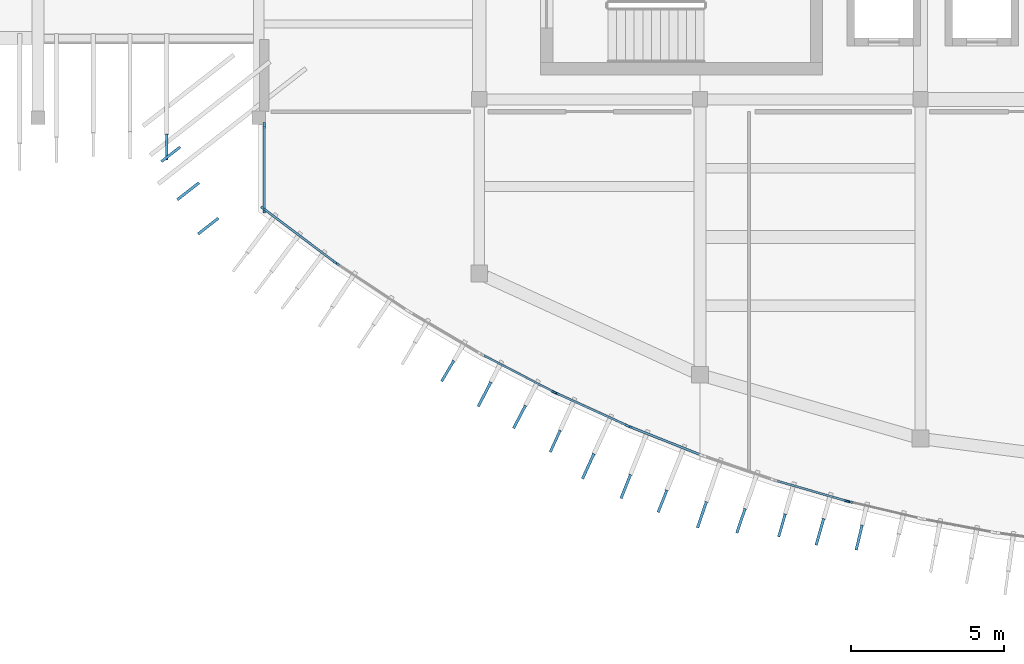
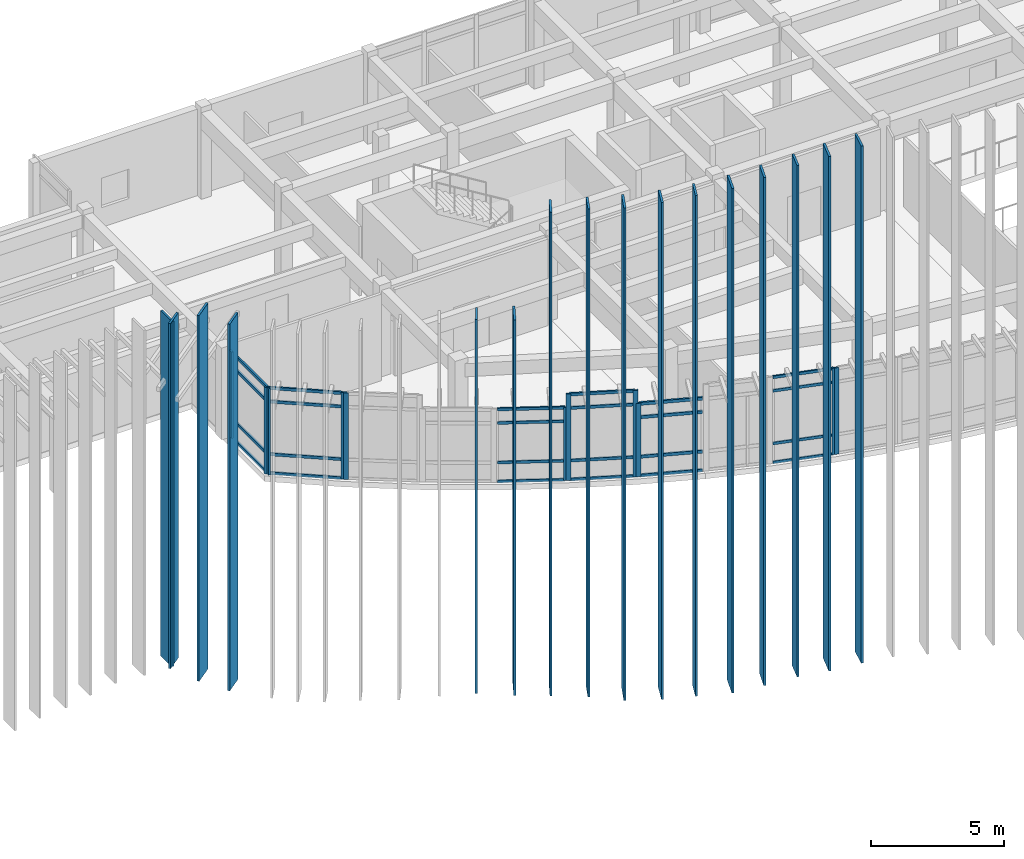
# One storey, part 13 of 47: 51 members, 8 elements without a shape of their own.
"""IFC4 building model written with IfcOpenShell, lengths in metres."""

from ifc_helpers import new_model, si_unit, direction, frame, origin, origin_2d, place, context, subcontext, project, spatial, rectangle, extrude, material, layer, layer_set, material_profile, profile_set, type_object, element, aggregate, save


model = new_model("IFC4")

# Units and contexts
model_context = context("Model", 3, precision=1e-05, world=origin(), true_north=direction((0.0, 1.0)))
body_context = subcontext(model_context, "Body", "Model", "MODEL_VIEW")
ifc_project = project(units=[si_unit("LENGTHUNIT", "METRE"), si_unit("AREAUNIT", "SQUARE_METRE"), si_unit("VOLUMEUNIT", "CUBIC_METRE"), si_unit("PLANEANGLEUNIT", "RADIAN"), si_unit("MASSUNIT", "GRAM", prefix="KILO")], contexts=[model_context])

# Site, building, storey
site_placement = place(None, origin())
site = spatial("IfcSite", under=ifc_project, at=site_placement, CompositionType="ELEMENT")
building_placement = place(site_placement, origin())
building = spatial("IfcBuilding", under=site, at=building_placement, Name="Brisavento Harbour Community Centre", CompositionType="ELEMENT")
storey_placement = place(building_placement, frame((0.0, 0.0, 8.699951171875)))
storey = spatial("IfcBuildingStorey", under=building, at=storey_placement, Name="L02", CompositionType="ELEMENT", Elevation=8.699951171875)

# Curtain wall, member
ifc_material_1 = material(Name="Marine-anodised aluminium AW-6063-T6", Category="aluminium")
ifc_layer_1 = layer(ifc_material_1, 0.179931640625, Name="Marine-anodised aluminium AW-6063-T6")
ifc_layer_set_1 = layer_set([ifc_layer_1], Name="Marine-anodised aluminium AW-6063-T6")
curtain_wall_type_1 = type_object("IfcCurtainWallType", Name="CW-SYS-09", PredefinedType="USERDEFINED", material=ifc_layer_set_1)
curtain_wall_1_placement = place(storey_placement, origin())
curtain_wall_1 = element("IfcCurtainWall", 1, at=curtain_wall_1_placement, inside=storey, type_object=curtain_wall_type_1, Name="L02 V3 unitised curtain wall 121", ObjectType="UNITISED CURTAIN WALL", PredefinedType="USERDEFINED")
ifc_material_profile_1 = material_profile(ifc_material_1, rectangle(XDim=0.06494140625, YDim=0.1650390625, at=origin_2d()), Name="Marine-anodised aluminium AW-6063-T6")
ifc_profile_set_1 = profile_set([ifc_material_profile_1], Name="Marine-anodised aluminium AW-6063-T6")
member_type_1 = type_object("IfcMemberType", Name="CWM-01", PredefinedType="MULLION", material=ifc_profile_set_1)
member_1_placement = place(storey_placement, frame((117.63818359375, 5.447998046875, 0.0), z_axis=(0.0, 0.0, 1.0), x_axis=(-0.461718322689, -0.887026600781, 0.0)))
member_1 = element("IfcMember", 2, at=member_1_placement, type_object=member_type_1, Name="CW-09 mullion 1", PredefinedType="MULLION", context=body_context, shape_type="SweptSolid", body=[
    extrude(rectangle(XDim=0.06494140625, YDim=0.1650390625, at=origin_2d()), origin(), (0.0, 0.0, 1.0), 3.360107421875),
])

ifc_layer_2 = layer(ifc_material_1, 0.179931640625, Name="Marine-anodised aluminium AW-6063-T6")
ifc_layer_set_2 = layer_set([ifc_layer_2], Name="Marine-anodised aluminium AW-6063-T6")
curtain_wall_type_2 = type_object("IfcCurtainWallType", Name="CW-SYS-13", PredefinedType="USERDEFINED", material=ifc_layer_set_2)
curtain_wall_2_placement = place(storey_placement, origin())
curtain_wall_2 = element("IfcCurtainWall", 3, at=curtain_wall_2_placement, inside=storey, type_object=curtain_wall_type_2, Name="L02 V3 unitised curtain wall 125", ObjectType="UNITISED CURTAIN WALL", PredefinedType="USERDEFINED")
member_2_placement = place(storey_placement, frame((127.201416015625, 1.89013671875, 0.0), z_axis=(0.0, 0.0, 1.0), x_axis=(-0.277000545402, -0.960869761126, 0.0)))
member_2 = element("IfcMember", 4, at=member_2_placement, type_object=member_type_1, Name="CW-13 mullion 1", PredefinedType="MULLION", context=body_context, shape_type="SweptSolid", body=[
    extrude(rectangle(XDim=0.06494140625, YDim=0.1650390625, at=origin_2d()), origin(), (0.0, 0.0, 1.0), 3.9599609375),
])

# Curtain wall, members
ifc_layer_3 = layer(ifc_material_1, 0.179931640625, Name="Marine-anodised aluminium AW-6063-T6")
ifc_layer_set_3 = layer_set([ifc_layer_3], Name="Marine-anodised aluminium AW-6063-T6")
curtain_wall_type_3 = type_object("IfcCurtainWallType", Name="CW-SYS-06", PredefinedType="USERDEFINED", material=ifc_layer_set_3)
curtain_wall_3_placement = place(storey_placement, origin())
curtain_wall_3 = element("IfcCurtainWall", 5, at=curtain_wall_3_placement, inside=storey, type_object=curtain_wall_type_3, Name="L02 V3 unitised curtain wall 118", ObjectType="UNITISED CURTAIN WALL", PredefinedType="USERDEFINED")
ifc_material_profile_2 = material_profile(ifc_material_1, rectangle(XDim=0.070068359375, YDim=0.179931640625, at=origin_2d()), Name="Marine-anodised aluminium AW-6063-T6")
ifc_profile_set_2 = profile_set([ifc_material_profile_2], Name="Marine-anodised aluminium AW-6063-T6")
member_type_2 = type_object("IfcMemberType", Name="CWM-02", PredefinedType="MULLION", material=ifc_profile_set_2)
member_3_placement = place(storey_placement, frame((110.465576171875, 9.702392578125, 0.0), z_axis=(0.0, 0.0, 1.0), x_axis=(-0.600259014917, -0.79980567328, 0.0)))
member_3 = element("IfcMember", 6, at=member_3_placement, type_object=member_type_2, Name="CW-06 mullion 1", PredefinedType="MULLION", context=body_context, shape_type="SweptSolid", body=[
    extrude(rectangle(XDim=0.070068359375, YDim=0.179931640625, at=origin_2d()), origin(), (0.0, 0.0, 1.0), 3.9599609375),
])
member_4_placement = place(storey_placement, frame((108.150390625, 11.43994140625, 0.0), z_axis=(0.0, 0.0, 1.0), x_axis=(-0.600259014917, -0.79980567328, 0.0)))
member_4 = element("IfcMember", 7, at=member_4_placement, type_object=member_type_2, Name="CW-06 mullion 2", PredefinedType="MULLION", context=body_context, shape_type="SweptSolid", body=[
    extrude(rectangle(XDim=0.070068359375, YDim=0.179931640625, at=origin_2d()), origin(), (0.0, 0.0, 1.0), 3.9599609375),
])

ifc_layer_4 = layer(ifc_material_1, 0.179931640625, Name="Marine-anodised aluminium AW-6063-T6")
ifc_layer_set_4 = layer_set([ifc_layer_4], Name="Marine-anodised aluminium AW-6063-T6")
curtain_wall_type_4 = type_object("IfcCurtainWallType", Name="CW-SYS-10", PredefinedType="USERDEFINED", material=ifc_layer_set_4)
curtain_wall_4_placement = place(storey_placement, origin())
curtain_wall_4 = element("IfcCurtainWall", 8, at=curtain_wall_4_placement, inside=storey, type_object=curtain_wall_type_4, Name="L02 V3 unitised curtain wall 122", ObjectType="UNITISED CURTAIN WALL", PredefinedType="USERDEFINED")
member_5_placement = place(storey_placement, frame((120.026611328125, 4.3544921875, 0.0), z_axis=(0.0, 0.0, 1.0), x_axis=(-0.415490040189, -0.909597727846, 0.0)))
member_5 = element("IfcMember", 9, at=member_5_placement, type_object=member_type_2, Name="CW-10 mullion 1", PredefinedType="MULLION", context=body_context, shape_type="SweptSolid", body=[
    extrude(rectangle(XDim=0.070068359375, YDim=0.179931640625, at=origin_2d()), origin(), (0.0, 0.0, 1.0), 3.9599609375),
])
member_6_placement = place(storey_placement, frame((117.72314453125, 5.40673828125, 0.0), z_axis=(0.0, 0.0, 1.0), x_axis=(-0.415490040189, -0.909597727846, 0.0)))
member_6 = element("IfcMember", 10, at=member_6_placement, type_object=member_type_2, Name="CW-10 mullion 2", PredefinedType="MULLION", context=body_context, shape_type="SweptSolid", body=[
    extrude(rectangle(XDim=0.070068359375, YDim=0.179931640625, at=origin_2d()), origin(), (0.0, 0.0, 1.0), 3.9599609375),
])

# Curtain wall, member
ifc_layer_5 = layer(ifc_material_1, 0.179931640625, Name="Marine-anodised aluminium AW-6063-T6")
ifc_layer_set_5 = layer_set([ifc_layer_5], Name="Marine-anodised aluminium AW-6063-T6")
curtain_wall_type_5 = type_object("IfcCurtainWallType", Name="CW-SYS-14", PredefinedType="USERDEFINED", material=ifc_layer_set_5)
curtain_wall_5_placement = place(storey_placement, origin())
curtain_wall_5 = element("IfcCurtainWall", 11, at=curtain_wall_5_placement, inside=storey, type_object=curtain_wall_type_5, Name="L02 V3 unitised curtain wall 126", ObjectType="UNITISED CURTAIN WALL", PredefinedType="USERDEFINED")
member_7_placement = place(storey_placement, frame((127.293212890625, 1.8662109375, 0.0), z_axis=(0.0, 0.0, 1.0), x_axis=(-0.230804675748, -0.973000103624, 0.0)))
member_7 = element("IfcMember", 12, at=member_7_placement, type_object=member_type_2, Name="CW-14 mullion 2", PredefinedType="MULLION", context=body_context, shape_type="SweptSolid", body=[
    extrude(rectangle(XDim=0.070068359375, YDim=0.179931640625, at=origin_2d()), origin(), (0.0, 0.0, 1.0), 3.9599609375),
])
aggregate(curtain_wall_5, [member_7])

ifc_layer_6 = layer(ifc_material_1, 0.179931640625, Name="Marine-anodised aluminium AW-6063-T6")
ifc_layer_set_6 = layer_set([ifc_layer_6], Name="Marine-anodised aluminium AW-6063-T6")
curtain_wall_type_6 = type_object("IfcCurtainWallType", Name="CW-SYS-07", PredefinedType="USERDEFINED", material=ifc_layer_set_6)
curtain_wall_6_placement = place(storey_placement, origin())
curtain_wall_6 = element("IfcCurtainWall", 13, at=curtain_wall_6_placement, inside=storey, type_object=curtain_wall_type_6, Name="L02 V3 unitised curtain wall 119", ObjectType="UNITISED CURTAIN WALL", PredefinedType="USERDEFINED")
ifc_material_profile_3 = material_profile(ifc_material_1, rectangle(XDim=0.074951171875, YDim=0.18994140625, at=origin_2d()), Name="Marine-anodised aluminium AW-6063-T6")
ifc_profile_set_3 = profile_set([ifc_material_profile_3], Name="Marine-anodised aluminium AW-6063-T6")
member_type_3 = type_object("IfcMemberType", Name="CWM-03", PredefinedType="MULLION", material=ifc_profile_set_3)
member_8_placement = place(storey_placement, frame((110.5458984375, 9.6455078125, 0.0), z_axis=(0.0, 0.0, 1.0), x_axis=(-0.554067779199, -0.832471558705, 0.0)))
member_8 = element("IfcMember", 14, at=member_8_placement, type_object=member_type_3, Name="CW-07 mullion 2", PredefinedType="MULLION", context=body_context, shape_type="SweptSolid", body=[
    extrude(rectangle(XDim=0.074951171875, YDim=0.18994140625, at=origin_2d()), origin(), (0.0, 0.0, 1.0), 3.9599609375),
])
aggregate(curtain_wall_6, [member_8])

ifc_layer_7 = layer(ifc_material_1, 0.179931640625, Name="Marine-anodised aluminium AW-6063-T6")
ifc_layer_set_7 = layer_set([ifc_layer_7], Name="Marine-anodised aluminium AW-6063-T6")
curtain_wall_type_7 = type_object("IfcCurtainWallType", Name="CW-SYS-11", PredefinedType="USERDEFINED", material=ifc_layer_set_7)
curtain_wall_7_placement = place(storey_placement, origin())
curtain_wall_7 = element("IfcCurtainWall", 15, at=curtain_wall_7_placement, inside=storey, type_object=curtain_wall_type_7, Name="L02 V3 unitised curtain wall 123", ObjectType="UNITISED CURTAIN WALL", PredefinedType="USERDEFINED")
member_9_placement = place(storey_placement, frame((120.1181640625, 4.3154296875, 0.0), z_axis=(0.0, 0.0, 1.0), x_axis=(-0.369379094613, -0.929278798027, 0.0)))
member_9 = element("IfcMember", 16, at=member_9_placement, type_object=member_type_3, Name="CW-11 mullion 2", PredefinedType="MULLION", context=body_context, shape_type="SweptSolid", body=[
    extrude(rectangle(XDim=0.074951171875, YDim=0.18994140625, at=origin_2d()), origin(), (0.0, 0.0, 1.0), 3.360107421875),
])

# Curtain wall, members
curtain_wall_8_placement = place(storey_placement, origin())
curtain_wall_8 = element("IfcCurtainWall", 17, at=curtain_wall_8_placement, inside=storey, type_object=curtain_wall_type_7, Name="L02 V3 unitised curtain wall 151", ObjectType="UNITISED CURTAIN WALL", PredefinedType="USERDEFINED")
member_10_placement = place(storey_placement, frame((108.179931640625, 11.38330078125, 0.0), z_axis=(0.0, 0.0, 1.0), x_axis=(-1.0, 0.0, 0.0)))
member_10 = element("IfcMember", 18, at=member_10_placement, type_object=member_type_3, Name="CW-11 mullion 1", PredefinedType="MULLION", context=body_context, shape_type="SweptSolid", body=[
    extrude(rectangle(XDim=0.074951171875, YDim=0.18994140625, at=origin_2d()), origin(), (0.0, 0.0, 1.0), 3.9599609375),
])
member_11_placement = place(storey_placement, frame((108.179931640625, 14.152587890625, 0.0), z_axis=(0.0, 0.0, 1.0), x_axis=(-1.0, 0.0, 0.0)))
member_11 = element("IfcMember", 19, at=member_11_placement, type_object=member_type_3, Name="CW-11 mullion 2", PredefinedType="MULLION", context=body_context, shape_type="SweptSolid", body=[
    extrude(rectangle(XDim=0.074951171875, YDim=0.18994140625, at=origin_2d()), origin(), (0.0, 0.0, 1.0), 3.9599609375),
])

# Member
ifc_material_profile_4 = material_profile(ifc_material_1, rectangle(XDim=0.06494140625, YDim=0.125, at=origin_2d()), Name="Marine-anodised aluminium AW-6063-T6")
ifc_profile_set_4 = profile_set([ifc_material_profile_4], Name="Marine-anodised aluminium AW-6063-T6")
member_type_4 = type_object("IfcMemberType", Name="CWT-01", PredefinedType="USERDEFINED", material=ifc_profile_set_4)
member_12_placement = place(storey_placement, frame((117.609375, 5.462890625, 0.032470703125), z_axis=(-0.887021549542, 0.461728026709, 0.0), x_axis=(-0.461728026709, -0.887021549542, 0.0)))
member_12 = element("IfcMember", 20, at=member_12_placement, type_object=member_type_4, Name="CW-09 transom 1.1", ObjectType="TRANSOM", PredefinedType="USERDEFINED", context=body_context, shape_type="SweptSolid", body=[
    extrude(rectangle(XDim=0.06494140625, YDim=0.125, at=origin_2d()), origin(), (0.0, 0.0, 1.0), 2.53955078125),
])

member_13_placement = place(storey_placement, frame((117.609375, 5.462890625, 0.900146484375), z_axis=(-0.887021549542, 0.461728026709, 0.0), x_axis=(-0.461728026709, -0.887021549542, 0.0)))
member_13 = element("IfcMember", 21, at=member_13_placement, type_object=member_type_4, Name="CW-09 transom 1.2", ObjectType="TRANSOM", PredefinedType="USERDEFINED", context=body_context, shape_type="SweptSolid", body=[
    extrude(rectangle(XDim=0.06494140625, YDim=0.125, at=origin_2d()), origin(), (0.0, 0.0, 1.0), 2.53955078125),
])

member_14_placement = place(storey_placement, frame((117.609375, 5.462890625, 2.7099609375), z_axis=(-0.887021549542, 0.461728026709, 0.0), x_axis=(-0.461728026709, -0.887021549542, 0.0)))
member_14 = element("IfcMember", 22, at=member_14_placement, type_object=member_type_4, Name="CW-09 transom 1.3", ObjectType="TRANSOM", PredefinedType="USERDEFINED", context=body_context, shape_type="SweptSolid", body=[
    extrude(rectangle(XDim=0.06494140625, YDim=0.125, at=origin_2d()), origin(), (0.0, 0.0, 1.0), 2.53955078125),
])

member_15_placement = place(storey_placement, frame((117.609375, 5.462890625, 3.32763671875), z_axis=(-0.887021549542, 0.461728026709, 0.0), x_axis=(-0.461728026709, -0.887021549542, 0.0)))
member_15 = element("IfcMember", 23, at=member_15_placement, type_object=member_type_4, Name="CW-09 transom 1.4", ObjectType="TRANSOM", PredefinedType="USERDEFINED", context=body_context, shape_type="SweptSolid", body=[
    extrude(rectangle(XDim=0.06494140625, YDim=0.125, at=origin_2d()), origin(), (0.0, 0.0, 1.0), 2.53955078125),
])

aggregate(curtain_wall_1, [member_1, member_12, member_13, member_14, member_15])

member_16_placement = place(storey_placement, frame((127.170166015625, 1.899169921875, 0.032470703125), z_axis=(-0.960857364899, 0.277043542282, 0.0), x_axis=(-0.277043542282, -0.960857364899, 0.0)))
member_16 = element("IfcMember", 24, at=member_16_placement, type_object=member_type_4, Name="CW-13 transom 1.1", ObjectType="TRANSOM", PredefinedType="USERDEFINED", context=body_context, shape_type="SweptSolid", body=[
    extrude(rectangle(XDim=0.06494140625, YDim=0.125, at=origin_2d()), origin(), (0.0, 0.0, 1.0), 2.331787109375),
])

member_17_placement = place(storey_placement, frame((127.170166015625, 1.899169921875, 0.900146484375), z_axis=(-0.960857364899, 0.277043542282, 0.0), x_axis=(-0.277043542282, -0.960857364899, 0.0)))
member_17 = element("IfcMember", 25, at=member_17_placement, type_object=member_type_4, Name="CW-13 transom 1.2", ObjectType="TRANSOM", PredefinedType="USERDEFINED", context=body_context, shape_type="SweptSolid", body=[
    extrude(rectangle(XDim=0.06494140625, YDim=0.125, at=origin_2d()), origin(), (0.0, 0.0, 1.0), 2.331787109375),
])

member_18_placement = place(storey_placement, frame((127.170166015625, 1.899169921875, 3.31005859375), z_axis=(-0.960857364899, 0.277043542282, 0.0), x_axis=(-0.277043542282, -0.960857364899, 0.0)))
member_18 = element("IfcMember", 26, at=member_18_placement, type_object=member_type_4, Name="CW-13 transom 1.3", ObjectType="TRANSOM", PredefinedType="USERDEFINED", context=body_context, shape_type="SweptSolid", body=[
    extrude(rectangle(XDim=0.06494140625, YDim=0.125, at=origin_2d()), origin(), (0.0, 0.0, 1.0), 2.331787109375),
])

member_19_placement = place(storey_placement, frame((127.170166015625, 1.899169921875, 3.927490234375), z_axis=(-0.960857364899, 0.277043542282, 0.0), x_axis=(-0.277043542282, -0.960857364899, 0.0)))
member_19 = element("IfcMember", 27, at=member_19_placement, type_object=member_type_4, Name="CW-13 transom 1.4", ObjectType="TRANSOM", PredefinedType="USERDEFINED", context=body_context, shape_type="SweptSolid", body=[
    extrude(rectangle(XDim=0.06494140625, YDim=0.125, at=origin_2d()), origin(), (0.0, 0.0, 1.0), 2.331787109375),
])

aggregate(curtain_wall_2, [member_2, member_16, member_17, member_18, member_19])

ifc_material_profile_5 = material_profile(ifc_material_1, rectangle(XDim=0.070068359375, YDim=0.132080078125, at=origin_2d()), Name="Marine-anodised aluminium AW-6063-T6")
ifc_profile_set_5 = profile_set([ifc_material_profile_5], Name="Marine-anodised aluminium AW-6063-T6")
member_type_5 = type_object("IfcMemberType", Name="CWT-02", PredefinedType="USERDEFINED", material=ifc_profile_set_5)
member_20_placement = place(storey_placement, frame((110.4375, 9.723388671875, 0.03515625), z_axis=(-0.799782131336, 0.600290381728, 0.0), x_axis=(-0.600290381728, -0.799782131336, 0.0)))
member_20 = element("IfcMember", 28, at=member_20_placement, type_object=member_type_5, Name="CW-06 transom 1.1", ObjectType="TRANSOM", PredefinedType="USERDEFINED", context=body_context, shape_type="SweptSolid", body=[
    extrude(rectangle(XDim=0.070068359375, YDim=0.132080078125, at=origin_2d()), origin(), (0.0, 0.0, 1.0), 2.824462890625),
])

member_21_placement = place(storey_placement, frame((110.4375, 9.723388671875, 0.900146484375), z_axis=(-0.799782131336, 0.600290381728, 0.0), x_axis=(-0.600290381728, -0.799782131336, 0.0)))
member_21 = element("IfcMember", 29, at=member_21_placement, type_object=member_type_5, Name="CW-06 transom 1.2", ObjectType="TRANSOM", PredefinedType="USERDEFINED", context=body_context, shape_type="SweptSolid", body=[
    extrude(rectangle(XDim=0.070068359375, YDim=0.132080078125, at=origin_2d()), origin(), (0.0, 0.0, 1.0), 2.824462890625),
])

member_22_placement = place(storey_placement, frame((110.4375, 9.723388671875, 3.31005859375), z_axis=(-0.799782131336, 0.600290381728, 0.0), x_axis=(-0.600290381728, -0.799782131336, 0.0)))
member_22 = element("IfcMember", 30, at=member_22_placement, type_object=member_type_5, Name="CW-06 transom 1.3", ObjectType="TRANSOM", PredefinedType="USERDEFINED", context=body_context, shape_type="SweptSolid", body=[
    extrude(rectangle(XDim=0.070068359375, YDim=0.132080078125, at=origin_2d()), origin(), (0.0, 0.0, 1.0), 2.824462890625),
])

member_23_placement = place(storey_placement, frame((110.4375, 9.723388671875, 3.925048828125), z_axis=(-0.799782131336, 0.600290381728, 0.0), x_axis=(-0.600290381728, -0.799782131336, 0.0)))
member_23 = element("IfcMember", 31, at=member_23_placement, type_object=member_type_5, Name="CW-06 transom 1.4", ObjectType="TRANSOM", PredefinedType="USERDEFINED", context=body_context, shape_type="SweptSolid", body=[
    extrude(rectangle(XDim=0.070068359375, YDim=0.132080078125, at=origin_2d()), origin(), (0.0, 0.0, 1.0), 2.824462890625),
])

aggregate(curtain_wall_3, [member_3, member_4, member_20, member_21, member_22, member_23])

member_24_placement = place(storey_placement, frame((119.99462890625, 4.368896484375, 0.03515625), z_axis=(-0.909580489128, 0.415527777408, 0.0), x_axis=(-0.415527777408, -0.909580489128, 0.0)))
member_24 = element("IfcMember", 32, at=member_24_placement, type_object=member_type_5, Name="CW-10 transom 1.1", ObjectType="TRANSOM", PredefinedType="USERDEFINED", context=body_context, shape_type="SweptSolid", body=[
    extrude(rectangle(XDim=0.070068359375, YDim=0.132080078125, at=origin_2d()), origin(), (0.0, 0.0, 1.0), 2.46240234375),
])

member_25_placement = place(storey_placement, frame((119.99462890625, 4.368896484375, 0.900146484375), z_axis=(-0.909580489128, 0.415527777408, 0.0), x_axis=(-0.415527777408, -0.909580489128, 0.0)))
member_25 = element("IfcMember", 33, at=member_25_placement, type_object=member_type_5, Name="CW-10 transom 1.2", ObjectType="TRANSOM", PredefinedType="USERDEFINED", context=body_context, shape_type="SweptSolid", body=[
    extrude(rectangle(XDim=0.070068359375, YDim=0.132080078125, at=origin_2d()), origin(), (0.0, 0.0, 1.0), 2.46240234375),
])

member_26_placement = place(storey_placement, frame((119.99462890625, 4.368896484375, 3.31005859375), z_axis=(-0.909580489128, 0.415527777408, 0.0), x_axis=(-0.415527777408, -0.909580489128, 0.0)))
member_26 = element("IfcMember", 34, at=member_26_placement, type_object=member_type_5, Name="CW-10 transom 1.3", ObjectType="TRANSOM", PredefinedType="USERDEFINED", context=body_context, shape_type="SweptSolid", body=[
    extrude(rectangle(XDim=0.070068359375, YDim=0.132080078125, at=origin_2d()), origin(), (0.0, 0.0, 1.0), 2.46240234375),
])

member_27_placement = place(storey_placement, frame((119.99462890625, 4.368896484375, 3.925048828125), z_axis=(-0.909580489128, 0.415527777408, 0.0), x_axis=(-0.415527777408, -0.909580489128, 0.0)))
member_27 = element("IfcMember", 35, at=member_27_placement, type_object=member_type_5, Name="CW-10 transom 1.4", ObjectType="TRANSOM", PredefinedType="USERDEFINED", context=body_context, shape_type="SweptSolid", body=[
    extrude(rectangle(XDim=0.070068359375, YDim=0.132080078125, at=origin_2d()), origin(), (0.0, 0.0, 1.0), 2.46240234375),
])

aggregate(curtain_wall_4, [member_5, member_6, member_24, member_25, member_26, member_27])

ifc_material_profile_6 = material_profile(ifc_material_1, rectangle(XDim=0.074951171875, YDim=0.139892578125, at=origin_2d()), Name="Marine-anodised aluminium AW-6063-T6")
ifc_profile_set_6 = profile_set([ifc_material_profile_6], Name="Marine-anodised aluminium AW-6063-T6")
member_type_6 = type_object("IfcMemberType", Name="CWT-03", PredefinedType="USERDEFINED", material=ifc_profile_set_6)
member_28_placement = place(storey_placement, frame((122.380126953125, 3.416259765625, 0.03759765625), z_axis=(-0.929289353883, 0.369352537233, 0.0), x_axis=(-0.369352537233, -0.929289353883, 0.0)))
member_28 = element("IfcMember", 36, at=member_28_placement, type_object=member_type_6, Name="CW-11 transom 1.1", ObjectType="TRANSOM", PredefinedType="USERDEFINED", context=body_context, shape_type="SweptSolid", body=[
    extrude(rectangle(XDim=0.074951171875, YDim=0.139892578125, at=origin_2d()), origin(), (0.0, 0.0, 1.0), 2.396728515625),
])

member_29_placement = place(storey_placement, frame((122.380126953125, 3.416259765625, 0.900146484375), z_axis=(-0.929289353883, 0.369352537233, 0.0), x_axis=(-0.369352537233, -0.929289353883, 0.0)))
member_29 = element("IfcMember", 37, at=member_29_placement, type_object=member_type_6, Name="CW-11 transom 1.2", ObjectType="TRANSOM", PredefinedType="USERDEFINED", context=body_context, shape_type="SweptSolid", body=[
    extrude(rectangle(XDim=0.074951171875, YDim=0.139892578125, at=origin_2d()), origin(), (0.0, 0.0, 1.0), 2.396728515625),
])

member_30_placement = place(storey_placement, frame((122.380126953125, 3.416259765625, 2.7099609375), z_axis=(-0.929289353883, 0.369352537233, 0.0), x_axis=(-0.369352537233, -0.929289353883, 0.0)))
member_30 = element("IfcMember", 38, at=member_30_placement, type_object=member_type_6, Name="CW-11 transom 1.3", ObjectType="TRANSOM", PredefinedType="USERDEFINED", context=body_context, shape_type="SweptSolid", body=[
    extrude(rectangle(XDim=0.074951171875, YDim=0.139892578125, at=origin_2d()), origin(), (0.0, 0.0, 1.0), 2.396728515625),
])

member_31_placement = place(storey_placement, frame((122.380126953125, 3.416259765625, 3.322509765625), z_axis=(-0.929289353883, 0.369352537233, 0.0), x_axis=(-0.369352537233, -0.929289353883, 0.0)))
member_31 = element("IfcMember", 39, at=member_31_placement, type_object=member_type_6, Name="CW-11 transom 1.4", ObjectType="TRANSOM", PredefinedType="USERDEFINED", context=body_context, shape_type="SweptSolid", body=[
    extrude(rectangle(XDim=0.074951171875, YDim=0.139892578125, at=origin_2d()), origin(), (0.0, 0.0, 1.0), 2.396728515625),
])

aggregate(curtain_wall_7, [member_9, member_28, member_29, member_30, member_31])

member_32_placement = place(storey_placement, frame((108.179931640625, 11.420654296875, 0.03759765625), z_axis=(0.0, 1.0, 0.0), x_axis=(-1.0, 0.0, 0.0)))
member_32 = element("IfcMember", 40, at=member_32_placement, type_object=member_type_6, Name="CW-11 transom 1.1", ObjectType="TRANSOM", PredefinedType="USERDEFINED", context=body_context, shape_type="SweptSolid", body=[
    extrude(rectangle(XDim=0.074951171875, YDim=0.139892578125, at=origin_2d()), origin(), (0.0, 0.0, 1.0), 2.6943359375),
])

member_33_placement = place(storey_placement, frame((108.179931640625, 11.420654296875, 0.900146484375), z_axis=(0.0, 1.0, 0.0), x_axis=(-1.0, 0.0, 0.0)))
member_33 = element("IfcMember", 41, at=member_33_placement, type_object=member_type_6, Name="CW-11 transom 1.2", ObjectType="TRANSOM", PredefinedType="USERDEFINED", context=body_context, shape_type="SweptSolid", body=[
    extrude(rectangle(XDim=0.074951171875, YDim=0.139892578125, at=origin_2d()), origin(), (0.0, 0.0, 1.0), 2.6943359375),
])

member_34_placement = place(storey_placement, frame((108.179931640625, 11.420654296875, 3.31005859375), z_axis=(0.0, 1.0, 0.0), x_axis=(-1.0, 0.0, 0.0)))
member_34 = element("IfcMember", 42, at=member_34_placement, type_object=member_type_6, Name="CW-11 transom 1.3", ObjectType="TRANSOM", PredefinedType="USERDEFINED", context=body_context, shape_type="SweptSolid", body=[
    extrude(rectangle(XDim=0.074951171875, YDim=0.139892578125, at=origin_2d()), origin(), (0.0, 0.0, 1.0), 2.6943359375),
])

member_35_placement = place(storey_placement, frame((108.179931640625, 11.420654296875, 3.922607421875), z_axis=(0.0, 1.0, 0.0), x_axis=(-1.0, 0.0, 0.0)))
member_35 = element("IfcMember", 43, at=member_35_placement, type_object=member_type_6, Name="CW-11 transom 1.4", ObjectType="TRANSOM", PredefinedType="USERDEFINED", context=body_context, shape_type="SweptSolid", body=[
    extrude(rectangle(XDim=0.074951171875, YDim=0.139892578125, at=origin_2d()), origin(), (0.0, 0.0, 1.0), 2.6943359375),
])

aggregate(curtain_wall_8, [member_10, member_11, member_32, member_33, member_34, member_35])

# Members
ifc_material_2 = material(Name="Off-white marine-anodised aluminium AW-6063-T6", Category="aluminium")
ifc_material_profile_7 = material_profile(ifc_material_2, rectangle(XDim=0.090087890625, YDim=0.89990234375, at=origin_2d()), Name="Off-white marine-anodised aluminium AW-6063-T6")
ifc_profile_set_7 = profile_set([ifc_material_profile_7], Name="Off-white marine-anodised aluminium AW-6063-T6")
member_type_7 = type_object("IfcMemberType", Name="FIN-STORM-1", PredefinedType="USERDEFINED", material=ifc_profile_set_7)
member_36_placement = place(storey_placement, frame((105.697265625, 12.00244140625, -8.699951171875), z_axis=(0.0, 0.0, 1.0), x_axis=(-0.615606460297, 0.788053732966, 0.0)))
element("IfcMember", 44, at=member_36_placement, inside=storey, type_object=member_type_7, Name="Standing-clear white storm fin 091", ObjectType="FIN", PredefinedType="USERDEFINED", context=body_context, shape_type="SweptSolid", body=[
    extrude(rectangle(XDim=0.090087890625, YDim=0.89990234375, at=origin_2d()), origin(), (0.0, 0.0, 1.0), 16.74072265625),
])
member_37_placement = place(storey_placement, frame((115.369384765625, 5.375, -8.699951171875), z_axis=(0.0, 0.0, 1.0), x_axis=(-0.887035009063, 0.461702168823, 0.0)))
element("IfcMember", 45, at=member_37_placement, inside=storey, type_object=member_type_7, Name="Standing-clear white storm fin 100", ObjectType="FIN", PredefinedType="USERDEFINED", context=body_context, shape_type="SweptSolid", body=[
    extrude(rectangle(XDim=0.090087890625, YDim=0.89990234375, at=origin_2d()), origin(), (0.0, 0.0, 1.0), 17.185302734375),
])
member_38_placement = place(storey_placement, frame((118.754150390625, 3.02880859375, -8.699951171875), z_axis=(0.0, 0.0, 1.0), x_axis=(-0.909584532519, 0.415518926407, 0.0)))
element("IfcMember", 46, at=member_38_placement, inside=storey, type_object=member_type_7, Name="Standing-clear white storm fin 103", ObjectType="FIN", PredefinedType="USERDEFINED", context=body_context, shape_type="SweptSolid", body=[
    extrude(rectangle(XDim=0.090087890625, YDim=0.89990234375, at=origin_2d()), origin(), (0.0, 0.0, 1.0), 22.546142578125),
])
member_39_placement = place(storey_placement, frame((122.466064453125, 1.44580078125, -8.699951171875), z_axis=(0.0, 0.0, 1.0), x_axis=(-0.94633947115, 0.323174264667, 0.0)))
element("IfcMember", 47, at=member_39_placement, inside=storey, type_object=member_type_7, Name="Standing-clear white storm fin 106", ObjectType="FIN", PredefinedType="USERDEFINED", context=body_context, shape_type="SweptSolid", body=[
    extrude(rectangle(XDim=0.090087890625, YDim=0.89990234375, at=origin_2d()), origin(), (0.0, 0.0, 1.0), 23.09619140625),
])
member_40_placement = place(storey_placement, frame((126.314697265625, 0.88671875, -8.699951171875), z_axis=(0.0, 0.0, 1.0), x_axis=(-0.96087106235, 0.276996031628, 0.0)))
element("IfcMember", 48, at=member_40_placement, inside=storey, type_object=member_type_7, Name="Standing-clear white storm fin 109", ObjectType="FIN", PredefinedType="USERDEFINED", context=body_context, shape_type="SweptSolid", body=[
    extrude(rectangle(XDim=0.090087890625, YDim=0.89990234375, at=origin_2d()), origin(), (0.0, 0.0, 1.0), 23.546142578125),
])
ifc_material_profile_8 = material_profile(ifc_material_2, rectangle(XDim=0.087890625, YDim=0.840087890625, at=origin_2d()), Name="Off-white marine-anodised aluminium AW-6063-T6")
ifc_profile_set_8 = profile_set([ifc_material_profile_8], Name="Off-white marine-anodised aluminium AW-6063-T6")
member_type_8 = type_object("IfcMemberType", Name="FIN-STORM-2", PredefinedType="USERDEFINED", material=ifc_profile_set_8)
member_41_placement = place(storey_placement, frame((105.0, 13.447265625, -8.699951171875), z_axis=(0.0, 0.0, 1.0), x_axis=(-1.0, 0.0, 0.0)))
element("IfcMember", 49, at=member_41_placement, inside=storey, type_object=member_type_8, Name="Standing-clear white storm fin 089", ObjectType="FIN", PredefinedType="USERDEFINED", context=body_context, shape_type="SweptSolid", body=[
    extrude(rectangle(XDim=0.087890625, YDim=0.840087890625, at=origin_2d()), origin(), (0.0, 0.0, 1.0), 15.800048828125),
])
member_42_placement = place(storey_placement, frame((106.352783203125, 10.865478515625, -8.699951171875), z_axis=(0.0, 0.0, 1.0), x_axis=(-0.615606460297, 0.788053732966, 0.0)))
element("IfcMember", 50, at=member_42_placement, inside=storey, type_object=member_type_8, Name="Standing-clear white storm fin 092", ObjectType="FIN", PredefinedType="USERDEFINED", context=body_context, shape_type="SweptSolid", body=[
    extrude(rectangle(XDim=0.087890625, YDim=0.840087890625, at=origin_2d()), origin(), (0.0, 0.0, 1.0), 16.7802734375),
])
member_43_placement = place(storey_placement, frame((116.510986328125, 4.6376953125, -8.699951171875), z_axis=(0.0, 0.0, 1.0), x_axis=(-0.887035009063, 0.461702168823, 0.0)))
element("IfcMember", 51, at=member_43_placement, inside=storey, type_object=member_type_8, Name="Standing-clear white storm fin 101", ObjectType="FIN", PredefinedType="USERDEFINED", context=body_context, shape_type="SweptSolid", body=[
    extrude(rectangle(XDim=0.087890625, YDim=0.840087890625, at=origin_2d()), origin(), (0.0, 0.0, 1.0), 22.130126953125),
])
member_44_placement = place(storey_placement, frame((119.97900390625, 2.367919921875, -8.699951171875), z_axis=(0.0, 0.0, 1.0), x_axis=(-0.92929381554, 0.369341311525, 0.0)))
element("IfcMember", 52, at=member_44_placement, inside=storey, type_object=member_type_8, Name="Standing-clear white storm fin 104", ObjectType="FIN", PredefinedType="USERDEFINED", context=body_context, shape_type="SweptSolid", body=[
    extrude(rectangle(XDim=0.087890625, YDim=0.840087890625, at=origin_2d()), origin(), (0.0, 0.0, 1.0), 22.739990234375),
])
member_45_placement = place(storey_placement, frame((123.7373046875, 1.245361328125, -8.699951171875), z_axis=(0.0, 0.0, 1.0), x_axis=(-0.94633947115, 0.323174264667, 0.0)))
element("IfcMember", 53, at=member_45_placement, inside=storey, type_object=member_type_8, Name="Standing-clear white storm fin 107", ObjectType="FIN", PredefinedType="USERDEFINED", context=body_context, shape_type="SweptSolid", body=[
    extrude(rectangle(XDim=0.087890625, YDim=0.840087890625, at=origin_2d()), origin(), (0.0, 0.0, 1.0), 23.258056640625),
])
member_46_placement = place(storey_placement, frame((127.595703125, 0.7001953125, -8.699951171875), z_axis=(0.0, 0.0, 1.0), x_axis=(-0.972993863389, 0.230830981037, 0.0)))
element("IfcMember", 54, at=member_46_placement, inside=storey, type_object=member_type_8, Name="Standing-clear white storm fin 110", ObjectType="FIN", PredefinedType="USERDEFINED", context=body_context, shape_type="SweptSolid", body=[
    extrude(rectangle(XDim=0.087890625, YDim=0.840087890625, at=origin_2d()), origin(), (0.0, 0.0, 1.0), 23.671875),
])
ifc_material_profile_9 = material_profile(ifc_material_2, rectangle(XDim=0.0849609375, YDim=0.780029296875, at=origin_2d()), Name="Off-white marine-anodised aluminium AW-6063-T6")
ifc_profile_set_9 = profile_set([ifc_material_profile_9], Name="Off-white marine-anodised aluminium AW-6063-T6")
member_type_9 = type_object("IfcMemberType", Name="FIN-STORM-3", PredefinedType="USERDEFINED", material=ifc_profile_set_9)
member_47_placement = place(storey_placement, frame((105.130859375, 13.208984375, -8.699951171875), z_axis=(0.0, 0.0, 1.0), x_axis=(-0.615606460297, 0.788053732966, 0.0)))
element("IfcMember", 55, at=member_47_placement, inside=storey, type_object=member_type_9, Name="Standing-clear white storm fin 090", ObjectType="FIN", PredefinedType="USERDEFINED", context=body_context, shape_type="SweptSolid", body=[
    extrude(rectangle(XDim=0.0849609375, YDim=0.780029296875, at=origin_2d()), origin(), (0.0, 0.0, 1.0), 15.800048828125),
])
member_48_placement = place(storey_placement, frame((114.168701171875, 6.136474609375, -8.699951171875), z_axis=(0.0, 0.0, 1.0), x_axis=(-0.861434216188, 0.507869167385, 0.0)))
element("IfcMember", 56, at=member_48_placement, inside=storey, type_object=member_type_9, Name="Standing-clear white storm fin 099", ObjectType="FIN", PredefinedType="USERDEFINED", context=body_context, shape_type="SweptSolid", body=[
    extrude(rectangle(XDim=0.0849609375, YDim=0.780029296875, at=origin_2d()), origin(), (0.0, 0.0, 1.0), 17.1259765625),
])
member_49_placement = place(storey_placement, frame((117.67529296875, 3.842529296875, -8.699951171875), z_axis=(0.0, 0.0, 1.0), x_axis=(-0.909584532519, 0.415518926407, 0.0)))
element("IfcMember", 57, at=member_49_placement, inside=storey, type_object=member_type_9, Name="Standing-clear white storm fin 102", ObjectType="FIN", PredefinedType="USERDEFINED", context=body_context, shape_type="SweptSolid", body=[
    extrude(rectangle(XDim=0.0849609375, YDim=0.780029296875, at=origin_2d()), origin(), (0.0, 0.0, 1.0), 22.3427734375),
])
member_50_placement = place(storey_placement, frame((121.17724609375, 1.88623046875, -8.699951171875), z_axis=(0.0, 0.0, 1.0), x_axis=(-0.92929381554, 0.369341311525, 0.0)))
element("IfcMember", 58, at=member_50_placement, inside=storey, type_object=member_type_9, Name="Standing-clear white storm fin 105", ObjectType="FIN", PredefinedType="USERDEFINED", context=body_context, shape_type="SweptSolid", body=[
    extrude(rectangle(XDim=0.0849609375, YDim=0.780029296875, at=origin_2d()), origin(), (0.0, 0.0, 1.0), 22.923583984375),
])
member_51_placement = place(storey_placement, frame((125.07568359375, 1.0966796875, -8.699951171875), z_axis=(0.0, 0.0, 1.0), x_axis=(-0.96087106235, 0.276996031628, 0.0)))
element("IfcMember", 59, at=member_51_placement, inside=storey, type_object=member_type_9, Name="Standing-clear white storm fin 108", ObjectType="FIN", PredefinedType="USERDEFINED", context=body_context, shape_type="SweptSolid", body=[
    extrude(rectangle(XDim=0.0849609375, YDim=0.780029296875, at=origin_2d()), origin(), (0.0, 0.0, 1.0), 23.408203125),
])

save(model, "model.ifc")
